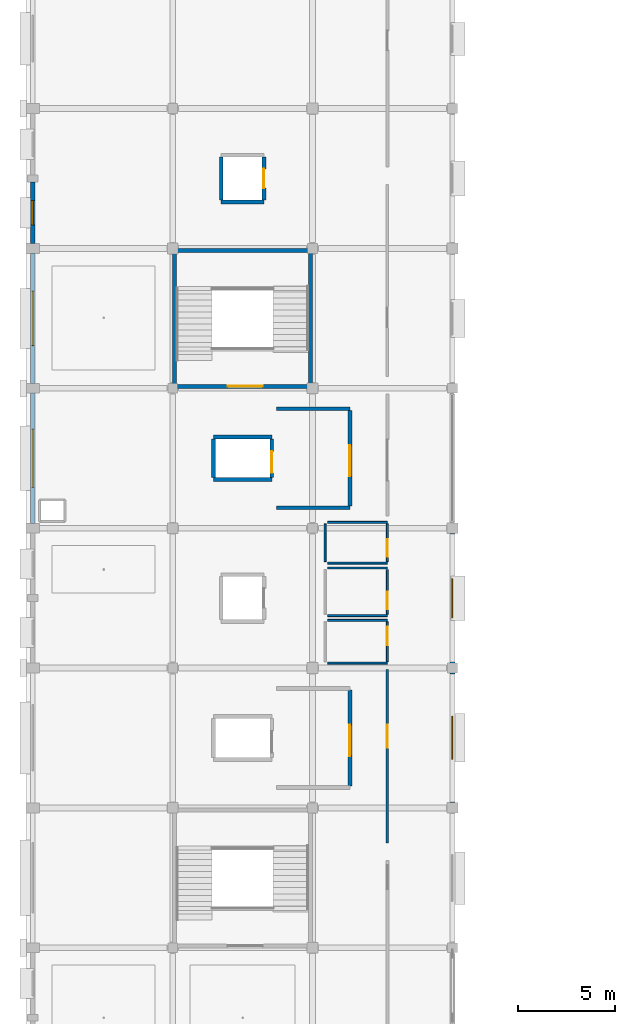
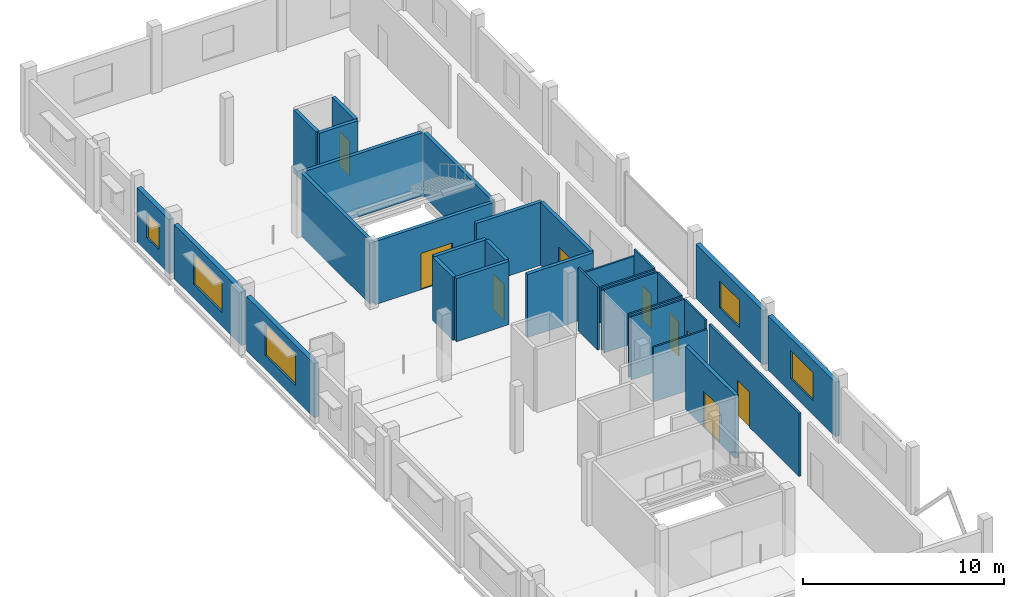
# One storey, part 8 of 15: 31 walls, 9 doors, 5 windows, 14 openings.
"""IFC4 building model written with IfcOpenShell, lengths in metres."""

from ifc_helpers import new_model, si_unit, direction, frame, frame_2d, origin, place, context, subcontext, project, spatial, rectangle, extrude, material, layer, layer_set, type_object, element, fill, save


model = new_model("IFC4")

# Units and contexts
model_context = context("Model", 3, precision=1e-05, world=origin(), true_north=direction((0.0, 1.0)))
body_context = subcontext(model_context, "Body", "Model", "MODEL_VIEW")
ifc_project = project(units=[si_unit("LENGTHUNIT", "METRE"), si_unit("AREAUNIT", "SQUARE_METRE"), si_unit("VOLUMEUNIT", "CUBIC_METRE"), si_unit("PLANEANGLEUNIT", "RADIAN"), si_unit("MASSUNIT", "GRAM", prefix="KILO")], contexts=[model_context])

# Site, building, storey
site_placement = place(None, origin())
site = spatial("IfcSite", under=ifc_project, at=site_placement, CompositionType="ELEMENT")
building_placement = place(site_placement, origin())
building = spatial("IfcBuilding", under=site, at=building_placement, Name="Kangsadwip Square Police Headquarters", CompositionType="ELEMENT")
storey_placement = place(building_placement, frame((0.0, 0.0, 29.699951171875)))
storey = spatial("IfcBuildingStorey", under=building, at=storey_placement, Name="L07", CompositionType="ELEMENT", Elevation=29.699951171875)

# Wall, opening, door
ifc_material_1 = material(Name="Fire-rated double gypsum board acoustic stud partition", Category="masonry")
ifc_layer_1 = layer(ifc_material_1, 0.1201171875)
ifc_layer_set_1 = layer_set([ifc_layer_1], Name="Fire-rated double gypsum board acoustic stud partition")
wall_type_1 = type_object("IfcWallType", Name="AcousticPartition120", PredefinedType="PARTITIONING", material=ifc_layer_set_1)
wall_1_placement = place(storey_placement, frame((18.25, 48.60009765625, 0.0), z_axis=(0.0, 0.0, 1.0), x_axis=(0.0, 1.0, 0.0)))
wall_1 = element("IfcWall", 1, at=wall_1_placement, inside=storey, type_object=wall_type_1, Name="Interior Wall WI-L07-0951", PredefinedType="PARTITIONING", context=body_context, shape_type="SweptSolid", body=[
    extrude(rectangle(XDim=8.919921875, YDim=0.1201171875, at=frame_2d((4.4599609375, 0.0))), origin(), (0.0, 0.0, 1.0), 3.830078125),
])
opening_1_placement = place(wall_1_placement, frame((4.89111328125, 0.0, 0.0)))
opening_1 = element("IfcOpeningElement", 2, at=opening_1_placement, cuts=wall_1, Name="Opening ID-12B", PredefinedType="OPENING", context=body_context, shape_type="SweptSolid", body=[
    extrude(rectangle(XDim=1.199951171875, YDim=2.14990234375, at=frame_2d((0.60009765625, 1.074951171875))), frame((0.0, 0.070068359375, 0.0), z_axis=(0.0, -1.0, 0.0), x_axis=(1.0, 0.0, 0.0)), (0.0, 0.0, 1.0), 0.14013671875),
])
ifc_material_2 = material(Name="Solid-core seasoned teak hardwood architectural door", Category="wood")
door_type_1 = type_object("IfcDoorType", Name="ClinicDoor1200x2150", OperationType="NOTDEFINED", PredefinedType="DOOR", material=ifc_material_2)
door_1_placement = place(opening_1_placement, origin())
door_1 = element("IfcDoor", 3, at=door_1_placement, inside=storey, type_object=door_type_1, Name="Interior Door ID-L07-0270", OperationType="SINGLE_SWING_RIGHT", OverallHeight=2.14990234375, OverallWidth=1.199951171875, PredefinedType="DOOR", context=body_context, shape_type="SweptSolid", body=[
    extrude(rectangle(XDim=1.199951171875, YDim=2.14990234375, at=frame_2d((0.60009765625, 1.074951171875))), frame((0.0, 0.02490234375, 0.0), z_axis=(0.0, -1.0, 0.0), x_axis=(1.0, 0.0, 0.0)), (0.0, 0.0, 1.0), 0.050048828125),
])
fill(opening_1, door_1)

# Wall, opening, window
ifc_material_3 = material(Name="Glazed architectural terracotta masonry rainscreen", Category="masonry")
ifc_layer_2 = layer(ifc_material_3, 0.25)
ifc_layer_set_2 = layer_set([ifc_layer_2], Name="Glazed architectural terracotta masonry rainscreen")
wall_type_2 = type_object("IfcWallType", Name="ChicagoTerracottaWall250", PredefinedType="SOLIDWALL", material=ifc_layer_set_2)
wall_2_placement = place(storey_placement, frame((0.0, 65.044921875, 0.0), z_axis=(0.0, 0.0, 1.0), x_axis=(0.0, 1.0, 0.0)))
wall_2 = element("IfcWall", 4, at=wall_2_placement, inside=storey, type_object=wall_type_2, Name="Exterior Wall WE-L07-593", PredefinedType="SOLIDWALL", context=body_context, shape_type="SweptSolid", body=[
    extrude(rectangle(XDim=6.7099609375, YDim=0.25, at=frame_2d((3.35498046875, 0.0))), origin(), (0.0, 0.0, 1.0), 3.295166015625),
])
opening_2_placement = place(wall_2_placement, frame((1.85498046875, 0.0, 0.85009765625)))
opening_2 = element("IfcOpeningElement", 5, at=opening_2_placement, cuts=wall_2, Name="Opening WN-04", PredefinedType="OPENING", context=body_context, shape_type="SweptSolid", body=[
    extrude(rectangle(XDim=3.0, YDim=1.89990234375, at=frame_2d((1.5, 0.949951171875))), frame((0.0, 0.135009765625, 0.0), z_axis=(0.0, -1.0, 0.0), x_axis=(1.0, 0.0, 0.0)), (0.0, 0.0, 1.0), 0.27001953125),
])
ifc_material_4 = material(Name="Double-glazed solar-control low-E safety glass", Category="glass")
window_type_1 = type_object("IfcWindowType", Name="ChicagoTripartiteWin3000x1900", PartitioningType="TRIPLE_PANEL_HORIZONTAL", PredefinedType="WINDOW", material=ifc_material_4)
window_1_placement = place(opening_2_placement, origin())
window_1 = element("IfcWindow", 6, at=window_1_placement, inside=storey, type_object=window_type_1, Name="Window WN-L07-0442", OverallHeight=1.89990234375, OverallWidth=3.0, PartitioningType="SINGLE_PANEL", PredefinedType="WINDOW", context=body_context, shape_type="SweptSolid", body=[
    extrude(rectangle(XDim=3.0, YDim=1.89990234375, at=frame_2d((1.5, 0.949951171875))), frame((0.0, 0.030029296875, 0.0), z_axis=(0.0, -1.0, 0.0), x_axis=(1.0, 0.0, 0.0)), (0.0, 0.0, 1.0), 0.06005859375),
])
fill(opening_2, window_1)

wall_3_placement = place(storey_placement, frame((0.0, 72.2451171875, 0.0), z_axis=(0.0, 0.0, 1.0), x_axis=(0.0, 1.0, 0.0)))
wall_3 = element("IfcWall", 7, at=wall_3_placement, inside=storey, type_object=wall_type_2, Name="Exterior Wall WE-L07-594", PredefinedType="SOLIDWALL", context=body_context, shape_type="SweptSolid", body=[
    extrude(rectangle(XDim=6.7099609375, YDim=0.25, at=frame_2d((3.35498046875, 0.0))), origin(), (0.0, 0.0, 1.0), 3.295166015625),
])
opening_3_placement = place(wall_3_placement, frame((1.955078125, 0.0, 0.85009765625)))
opening_3 = element("IfcOpeningElement", 8, at=opening_3_placement, cuts=wall_3, Name="Opening WN-05", PredefinedType="OPENING", context=body_context, shape_type="SweptSolid", body=[
    extrude(rectangle(XDim=2.800048828125, YDim=1.85009765625, at=frame_2d((1.39990234375, 0.925048828125))), frame((0.0, 0.135009765625, 0.0), z_axis=(0.0, -1.0, 0.0), x_axis=(1.0, 0.0, 0.0)), (0.0, 0.0, 1.0), 0.27001953125),
])
ifc_material_5 = material(Name="Double-glazed solar-control low-E safety glass", Category="glass")
window_type_2 = type_object("IfcWindowType", Name="ChicagoDoubleMullWin2800x1850", PartitioningType="DOUBLE_PANEL_VERTICAL", PredefinedType="WINDOW", material=ifc_material_5)
window_2_placement = place(opening_3_placement, origin())
window_2 = element("IfcWindow", 9, at=window_2_placement, inside=storey, type_object=window_type_2, Name="Window WN-L07-0443", OverallHeight=1.85009765625, OverallWidth=2.800048828125, PartitioningType="SINGLE_PANEL", PredefinedType="WINDOW", context=body_context, shape_type="SweptSolid", body=[
    extrude(rectangle(XDim=2.800048828125, YDim=1.85009765625, at=frame_2d((1.39990234375, 0.925048828125))), frame((0.0, 0.030029296875, 0.0), z_axis=(0.0, -1.0, 0.0), x_axis=(1.0, 0.0, 0.0)), (0.0, 0.0, 1.0), 0.06005859375),
])
fill(opening_3, window_2)

wall_4_placement = place(storey_placement, frame((0.0, 79.445068359375, 0.0), z_axis=(0.0, 0.0, 1.0), x_axis=(0.0, 1.0, 0.0)))
wall_4 = element("IfcWall", 10, at=wall_4_placement, inside=storey, type_object=wall_type_2, Name="Exterior Wall WE-L07-595", PredefinedType="SOLIDWALL", context=body_context, shape_type="SweptSolid", body=[
    extrude(rectangle(XDim=3.184814453125, YDim=0.25, at=frame_2d((1.59228515625, 0.0))), origin(), (0.0, 0.0, 1.0), 3.295166015625),
])
opening_4_placement = place(wall_4_placement, frame((0.967529296875, 0.0, 0.85009765625)))
opening_4 = element("IfcOpeningElement", 11, at=opening_4_placement, cuts=wall_4, Name="Opening WN-14", PredefinedType="OPENING", context=body_context, shape_type="SweptSolid", body=[
    extrude(rectangle(XDim=1.25, YDim=1.5, at=frame_2d((0.625, 0.75))), frame((0.0, 0.135009765625, 0.0), z_axis=(0.0, -1.0, 0.0), x_axis=(1.0, 0.0, 0.0)), (0.0, 0.0, 1.0), 0.27001953125),
])
ifc_material_6 = material(Name="Double-glazed solar-control low-E safety glass", Category="glass")
window_type_3 = type_object("IfcWindowType", Name="OfficeCasementWin1250x1500", PartitioningType="SINGLE_PANEL", PredefinedType="WINDOW", material=ifc_material_6)
window_3_placement = place(opening_4_placement, origin())
window_3 = element("IfcWindow", 12, at=window_3_placement, inside=storey, type_object=window_type_3, Name="Window WN-L07-0444", OverallHeight=1.5, OverallWidth=1.25, PartitioningType="SINGLE_PANEL", PredefinedType="WINDOW", context=body_context, shape_type="SweptSolid", body=[
    extrude(rectangle(XDim=1.25, YDim=1.5, at=frame_2d((0.625, 0.75))), frame((0.0, 0.030029296875, 0.0), z_axis=(0.0, -1.0, 0.0), x_axis=(1.0, 0.0, 0.0)), (0.0, 0.0, 1.0), 0.06005859375),
])
fill(opening_4, window_3)

wall_5_placement = place(storey_placement, frame((21.60009765625, 50.669921875, 0.0), z_axis=(0.0, 0.0, 1.0), x_axis=(0.0, 1.0, 0.0)))
wall_5 = element("IfcWall", 13, at=wall_5_placement, inside=storey, type_object=wall_type_2, Name="Exterior Wall WE-L07-599", PredefinedType="SOLIDWALL", context=body_context, shape_type="SweptSolid", body=[
    extrude(rectangle(XDim=6.68505859375, YDim=0.25, at=frame_2d((3.342529296875, 0.0))), origin(), (0.0, 0.0, 1.0), 3.295166015625),
])
opening_5_placement = place(wall_5_placement, frame((2.242431640625, 0.0, 0.85009765625)))
opening_5 = element("IfcOpeningElement", 14, at=opening_5_placement, cuts=wall_5, Name="Opening WN-08", PredefinedType="OPENING", context=body_context, shape_type="SweptSolid", body=[
    extrude(rectangle(XDim=2.199951171875, YDim=1.699951171875, at=frame_2d((1.10009765625, 0.85009765625))), frame((0.0, 0.135009765625, 0.0), z_axis=(0.0, -1.0, 0.0), x_axis=(1.0, 0.0, 0.0)), (0.0, 0.0, 1.0), 0.27001953125),
])
ifc_material_7 = material(Name="Double-glazed solar-control low-E safety glass", Category="glass")
window_type_4 = type_object("IfcWindowType", Name="ChicagoDoubleMullWin2200x1700", PartitioningType="DOUBLE_PANEL_VERTICAL", PredefinedType="WINDOW", material=ifc_material_7)
window_4_placement = place(opening_5_placement, origin())
window_4 = element("IfcWindow", 15, at=window_4_placement, inside=storey, type_object=window_type_4, Name="Window WN-L07-0448", OverallHeight=1.699951171875, OverallWidth=2.199951171875, PartitioningType="SINGLE_PANEL", PredefinedType="WINDOW", context=body_context, shape_type="SweptSolid", body=[
    extrude(rectangle(XDim=2.199951171875, YDim=1.699951171875, at=frame_2d((1.10009765625, 0.85009765625))), frame((0.0, 0.030029296875, 0.0), z_axis=(0.0, -1.0, 0.0), x_axis=(1.0, 0.0, 0.0)), (0.0, 0.0, 1.0), 0.06005859375),
])
fill(opening_5, window_4)

wall_6_placement = place(storey_placement, frame((21.60009765625, 57.844970703125, 0.0), z_axis=(0.0, 0.0, 1.0), x_axis=(0.0, 1.0, 0.0)))
wall_6 = element("IfcWall", 16, at=wall_6_placement, inside=storey, type_object=wall_type_2, Name="Exterior Wall WE-L07-600", PredefinedType="SOLIDWALL", context=body_context, shape_type="SweptSolid", body=[
    extrude(rectangle(XDim=6.68505859375, YDim=0.25, at=frame_2d((3.342529296875, 0.0))), origin(), (0.0, 0.0, 1.0), 3.295166015625),
])
opening_6_placement = place(wall_6_placement, frame((2.342529296875, 0.0, 0.85009765625)))
opening_6 = element("IfcOpeningElement", 17, at=opening_6_placement, cuts=wall_6, Name="Opening WN-09", PredefinedType="OPENING", context=body_context, shape_type="SweptSolid", body=[
    extrude(rectangle(XDim=2.0, YDim=1.64990234375, at=frame_2d((1.0, 0.824951171875))), frame((0.0, 0.135009765625, 0.0), z_axis=(0.0, -1.0, 0.0), x_axis=(1.0, 0.0, 0.0)), (0.0, 0.0, 1.0), 0.27001953125),
])
ifc_material_8 = material(Name="Double-glazed solar-control low-E safety glass", Category="glass")
window_type_5 = type_object("IfcWindowType", Name="ChicagoDoubleMullWin2000x1650", PartitioningType="DOUBLE_PANEL_VERTICAL", PredefinedType="WINDOW", material=ifc_material_8)
window_5_placement = place(opening_6_placement, origin())
window_5 = element("IfcWindow", 18, at=window_5_placement, inside=storey, type_object=window_type_5, Name="Window WN-L07-0449", OverallHeight=1.64990234375, OverallWidth=2.0, PartitioningType="SINGLE_PANEL", PredefinedType="WINDOW", context=body_context, shape_type="SweptSolid", body=[
    extrude(rectangle(XDim=2.0, YDim=1.64990234375, at=frame_2d((1.0, 0.824951171875))), frame((0.0, 0.030029296875, 0.0), z_axis=(0.0, -1.0, 0.0), x_axis=(1.0, 0.0, 0.0)), (0.0, 0.0, 1.0), 0.06005859375),
])
fill(opening_6, window_5)

# Wall, opening, door
ifc_material_9 = material(Name="Concrete M40 (40 MPa)", Category="concrete")
ifc_layer_3 = layer(ifc_material_9, 0.199951171875)
ifc_layer_set_3 = layer_set([ifc_layer_3], Name="Concrete M40 (40 MPa)")
wall_type_3 = type_object("IfcWallType", Name="CoreShearWall200", PredefinedType="SHEAR", material=ifc_layer_set_3)
wall_7_placement = place(storey_placement, frame((7.39990234375, 72.10009765625, 0.0), z_axis=(0.0, 0.0, 1.0), x_axis=(1.0, 0.0, 0.0)))
wall_7 = element("IfcWall", 19, at=wall_7_placement, inside=storey, type_object=wall_type_3, Name="Interior Wall WI-L07-0081", PredefinedType="SHEAR", context=body_context, shape_type="SweptSolid", body=[
    extrude(rectangle(XDim=6.800048828125, YDim=0.199951171875, at=frame_2d((3.39990234375, 0.0))), origin(), (0.0, 0.0, 1.0), 3.830078125),
])
opening_7_placement = place(wall_7_placement, frame((2.632080078125, 0.0, 0.0)))
opening_7 = element("IfcOpeningElement", 20, at=opening_7_placement, cuts=wall_7, Name="Opening FD-18", PredefinedType="OPENING", context=body_context, shape_type="SweptSolid", body=[
    extrude(rectangle(XDim=1.800048828125, YDim=2.199951171875, at=frame_2d((0.89990234375, 1.10009765625))), frame((0.0, 0.10986328125, 0.0), z_axis=(0.0, -1.0, 0.0), x_axis=(1.0, 0.0, 0.0)), (0.0, 0.0, 1.0), 0.219970703125),
])
ifc_material_10 = material(Name="Insulated galvanized steel fire-rated door assembly", Category="steel")
door_type_2 = type_object("IfcDoorType", Name="StairFireDoor1800x2200", OperationType="DOUBLE_DOOR_SINGLE_SWING", PredefinedType="DOOR", material=ifc_material_10)
door_2_placement = place(opening_7_placement, origin())
door_2 = element("IfcDoor", 21, at=door_2_placement, inside=storey, type_object=door_type_2, Name="Interior Door ID-L07-0018", OperationType="DOUBLE_DOOR_SINGLE_SWING", OverallHeight=2.199951171875, OverallWidth=1.800048828125, PredefinedType="DOOR", context=body_context, shape_type="SweptSolid", body=[
    extrude(rectangle(XDim=1.800048828125, YDim=2.199951171875, at=frame_2d((0.89990234375, 1.10009765625))), frame((0.0, 0.02490234375, 0.0), z_axis=(0.0, -1.0, 0.0), x_axis=(1.0, 0.0, 0.0)), (0.0, 0.0, 1.0), 0.050048828125),
])
fill(opening_7, door_2)

# Walls
for number, where, z_axis, x_axis, name in (
    (22, (7.39990234375, 79.10009765625, 0.0), (0.0, 0.0, 1.0), (1.0, 0.0, 0.0), "Interior Wall WI-L07-0082"),
    (23, (7.300048828125, 72.199951171875, 0.0), (0.0, 0.0, 1.0), (0.0, 1.0, 0.0), "Interior Wall WI-L07-0083"),
    (24, (14.300048828125, 72.199951171875, 0.0), (0.0, 0.0, 1.0), (0.0, 1.0, 0.0), "Interior Wall WI-L07-0084"),
):
    element("IfcWall", number, at=place(storey_placement, frame(where, z_axis=z_axis, x_axis=x_axis)), inside=storey, type_object=wall_type_3, Name=name, PredefinedType="SHEAR", context=body_context, shape_type="SweptSolid", body=[
        extrude(rectangle(XDim=6.800048828125, YDim=0.199951171875, at=frame_2d((3.39990234375, 0.0))), origin(), (0.0, 0.0, 1.0), 3.830078125),
    ])
for number, where, z_axis, x_axis, name in (
    (25, (9.300048828125, 67.300048828125, 0.0), (0.0, 0.0, 1.0), (1.0, 0.0, 0.0), "Interior Wall WI-L07-0303"),
    (26, (9.300048828125, 69.5, 0.0), (0.0, 0.0, 1.0), (1.0, 0.0, 0.0), "Interior Wall WI-L07-0304"),
):
    element("IfcWall", number, at=place(storey_placement, frame(where, z_axis=z_axis, x_axis=x_axis)), inside=storey, type_object=wall_type_3, Name=name, PredefinedType="SHEAR", context=body_context, shape_type="SweptSolid", body=[
        extrude(rectangle(XDim=3.0, YDim=0.199951171875, at=frame_2d((1.5, 0.0))), origin(), (0.0, 0.0, 1.0), 3.830078125),
    ])
wall_8_placement = place(storey_placement, frame((9.300048828125, 67.39990234375, 0.0), z_axis=(0.0, 0.0, 1.0), x_axis=(0.0, 1.0, 0.0)))
element("IfcWall", 27, at=wall_8_placement, inside=storey, type_object=wall_type_3, Name="Interior Wall WI-L07-0305", PredefinedType="SHEAR", context=body_context, shape_type="SweptSolid", body=[
    extrude(rectangle(XDim=2.0, YDim=0.199951171875, at=frame_2d((1.0, 0.0))), origin(), (0.0, 0.0, 1.0), 3.830078125),
])

# Wall, opening, door
wall_9_placement = place(storey_placement, frame((12.300048828125, 67.39990234375, 0.0), z_axis=(0.0, 0.0, 1.0), x_axis=(0.0, 1.0, 0.0)))
wall_9 = element("IfcWall", 28, at=wall_9_placement, inside=storey, type_object=wall_type_3, Name="Interior Wall WI-L07-0306", PredefinedType="SHEAR", context=body_context, shape_type="SweptSolid", body=[
    extrude(rectangle(XDim=2.0, YDim=0.199951171875, at=frame_2d((1.0, 0.0))), origin(), (0.0, 0.0, 1.0), 3.830078125),
])
opening_8_placement = place(wall_9_placement, frame((0.25, 0.0, 0.0)))
opening_8 = element("IfcOpeningElement", 29, at=opening_8_placement, cuts=wall_9, Name="Opening LD-018", PredefinedType="OPENING", context=body_context, shape_type="SweptSolid", body=[
    extrude(rectangle(XDim=1.10009765625, YDim=2.14990234375, at=frame_2d((0.550048828125, 1.074951171875))), frame((0.0, 0.10986328125, 0.0), z_axis=(0.0, -1.0, 0.0), x_axis=(1.0, 0.0, 0.0)), (0.0, 0.0, 1.0), 0.219970703125),
])
ifc_material_11 = material(Name="Brushed stainless steel automatic sliding lift landing door", Category="steel")
door_type_3 = type_object("IfcDoorType", Name="LiftLandingDoor1100x2150", OperationType="DOUBLE_DOOR_SLIDING", PredefinedType="DOOR", material=ifc_material_11)
door_3_placement = place(opening_8_placement, origin())
door_3 = element("IfcDoor", 30, at=door_3_placement, inside=storey, type_object=door_type_3, Name="Interior Door LD-018", OperationType="DOUBLE_DOOR_SLIDING", OverallHeight=2.14990234375, OverallWidth=1.10009765625, PredefinedType="DOOR", context=body_context, shape_type="SweptSolid", body=[
    extrude(rectangle(XDim=1.10009765625, YDim=2.14990234375, at=frame_2d((0.550048828125, 1.074951171875))), frame((0.0, 0.02490234375, 0.0), z_axis=(0.0, -1.0, 0.0), x_axis=(1.0, 0.0, 0.0)), (0.0, 0.0, 1.0), 0.050048828125),
])
fill(opening_8, door_3)

# Walls
for number, where, z_axis, x_axis, name in (
    (31, (9.699951171875, 81.60009765625, 0.0), (0.0, 0.0, 1.0), (1.0, 0.0, 0.0), "Interior Wall WI-L07-0419"),
    (32, (9.699951171875, 81.699951171875, 0.0), (0.0, 0.0, 1.0), (0.0, 1.0, 0.0), "Interior Wall WI-L07-0421"),
):
    element("IfcWall", number, at=place(storey_placement, frame(where, z_axis=z_axis, x_axis=x_axis)), inside=storey, type_object=wall_type_3, Name=name, PredefinedType="SHEAR", context=body_context, shape_type="SweptSolid", body=[
        extrude(rectangle(XDim=2.199951171875, YDim=0.199951171875, at=frame_2d((1.10009765625, 0.0))), origin(), (0.0, 0.0, 1.0), 3.830078125),
    ])

# Wall, opening, door
wall_10_placement = place(storey_placement, frame((11.89990234375, 81.699951171875, 0.0), z_axis=(0.0, 0.0, 1.0), x_axis=(0.0, 1.0, 0.0)))
wall_10 = element("IfcWall", 33, at=wall_10_placement, inside=storey, type_object=wall_type_3, Name="Interior Wall WI-L07-0422", PredefinedType="SHEAR", context=body_context, shape_type="SweptSolid", body=[
    extrude(rectangle(XDim=2.199951171875, YDim=0.199951171875, at=frame_2d((1.10009765625, 0.0))), origin(), (0.0, 0.0, 1.0), 3.830078125),
])
opening_9_placement = place(wall_10_placement, frame((0.60009765625, 0.0, 0.0)))
opening_9 = element("IfcOpeningElement", 34, at=opening_9_placement, cuts=wall_10, Name="Opening LD-044", PredefinedType="OPENING", context=body_context, shape_type="SweptSolid", body=[
    extrude(rectangle(XDim=1.0, YDim=2.10009765625, at=frame_2d((0.5, 1.050048828125))), frame((0.0, 0.10986328125, 0.0), z_axis=(0.0, -1.0, 0.0), x_axis=(1.0, 0.0, 0.0)), (0.0, 0.0, 1.0), 0.219970703125),
])
ifc_material_12 = material(Name="Brushed stainless steel automatic sliding lift landing door", Category="steel")
door_type_4 = type_object("IfcDoorType", Name="LiftLandingDoor1000x2100", OperationType="DOUBLE_DOOR_SLIDING", PredefinedType="DOOR", material=ifc_material_12)
door_4_placement = place(opening_9_placement, origin())
door_4 = element("IfcDoor", 35, at=door_4_placement, inside=storey, type_object=door_type_4, Name="Interior Door LD-044", OperationType="DOUBLE_DOOR_SLIDING", OverallHeight=2.10009765625, OverallWidth=1.0, PredefinedType="DOOR", context=body_context, shape_type="SweptSolid", body=[
    extrude(rectangle(XDim=1.0, YDim=2.10009765625, at=frame_2d((0.5, 1.050048828125))), frame((0.0, 0.02490234375, 0.0), z_axis=(0.0, -1.0, 0.0), x_axis=(1.0, 0.0, 0.0)), (0.0, 0.0, 1.0), 0.050048828125),
])
fill(opening_9, door_4)

ifc_material_13 = material(Name="Concrete M40 (40 MPa)", Category="concrete")
ifc_layer_4 = layer(ifc_material_13, 0.199951171875)
ifc_layer_set_4 = layer_set([ifc_layer_4], Name="Concrete M40 (40 MPa)")
wall_type_4 = type_object("IfcWallType", Name="CustodySecurityWall200", PredefinedType="SOLIDWALL", material=ifc_layer_set_4)
wall_11_placement = place(storey_placement, frame((16.320068359375, 51.530029296875, 0.0), z_axis=(0.0, 0.0, 1.0), x_axis=(0.0, 1.0, 0.0)))
wall_11 = element("IfcWall", 36, at=wall_11_placement, inside=storey, type_object=wall_type_4, Name="Interior Wall WI-L07-0932", PredefinedType="SOLIDWALL", context=body_context, shape_type="SweptSolid", body=[
    extrude(rectangle(XDim=4.93994140625, YDim=0.199951171875, at=frame_2d((2.469970703125, 0.0))), origin(), (0.0, 0.0, 1.0), 3.830078125),
])
opening_10_placement = place(wall_11_placement, frame((1.541015625, 0.0, 0.0)))
opening_10 = element("IfcOpeningElement", 37, at=opening_10_placement, cuts=wall_11, Name="Opening FD-16", PredefinedType="OPENING", context=body_context, shape_type="SweptSolid", body=[
    extrude(rectangle(XDim=1.60009765625, YDim=2.199951171875, at=frame_2d((0.800048828125, 1.10009765625))), frame((0.0, 0.10986328125, 0.0), z_axis=(0.0, -1.0, 0.0), x_axis=(1.0, 0.0, 0.0)), (0.0, 0.0, 1.0), 0.219970703125),
])
ifc_material_14 = material(Name="Insulated galvanized steel fire-rated door assembly", Category="steel")
door_type_5 = type_object("IfcDoorType", Name="FfLobbyFireDoor1600x2200", OperationType="DOUBLE_DOOR_SINGLE_SWING", PredefinedType="DOOR", material=ifc_material_14)
door_5_placement = place(opening_10_placement, origin())
door_5 = element("IfcDoor", 38, at=door_5_placement, inside=storey, type_object=door_type_5, Name="Interior Door ID-L07-0264", OperationType="DOUBLE_DOOR_SINGLE_SWING", OverallHeight=2.199951171875, OverallWidth=1.60009765625, PredefinedType="DOOR", context=body_context, shape_type="SweptSolid", body=[
    extrude(rectangle(XDim=1.60009765625, YDim=2.199951171875, at=frame_2d((0.800048828125, 1.10009765625))), frame((0.0, 0.02490234375, 0.0), z_axis=(0.0, -1.0, 0.0), x_axis=(1.0, 0.0, 0.0)), (0.0, 0.0, 1.0), 0.050048828125),
])
fill(opening_10, door_5)

wall_12_placement = place(storey_placement, frame((16.320068359375, 65.929931640625, 0.0), z_axis=(0.0, 0.0, 1.0), x_axis=(0.0, 1.0, 0.0)))
wall_12 = element("IfcWall", 39, at=wall_12_placement, inside=storey, type_object=wall_type_4, Name="Interior Wall WI-L07-0935", PredefinedType="SOLIDWALL", context=body_context, shape_type="SweptSolid", body=[
    extrude(rectangle(XDim=4.940185546875, YDim=0.199951171875, at=frame_2d((2.47021484375, 0.0))), origin(), (0.0, 0.0, 1.0), 3.830078125),
])
opening_11_placement = place(wall_12_placement, frame((1.541015625, 0.0, 0.0)))
opening_11 = element("IfcOpeningElement", 40, at=opening_11_placement, cuts=wall_12, Name="Opening FD-16", PredefinedType="OPENING", context=body_context, shape_type="SweptSolid", body=[
    extrude(rectangle(XDim=1.60009765625, YDim=2.199951171875, at=frame_2d((0.800048828125, 1.10009765625))), frame((0.0, 0.10986328125, 0.0), z_axis=(0.0, -1.0, 0.0), x_axis=(1.0, 0.0, 0.0)), (0.0, 0.0, 1.0), 0.219970703125),
])
door_6_placement = place(opening_11_placement, origin())
door_6 = element("IfcDoor", 41, at=door_6_placement, inside=storey, type_object=door_type_5, Name="Interior Door ID-L07-0265", OperationType="DOUBLE_DOOR_SINGLE_SWING", OverallHeight=2.199951171875, OverallWidth=1.60009765625, PredefinedType="DOOR", context=body_context, shape_type="SweptSolid", body=[
    extrude(rectangle(XDim=1.60009765625, YDim=2.199951171875, at=frame_2d((0.800048828125, 1.10009765625))), frame((0.0, 0.02490234375, 0.0), z_axis=(0.0, -1.0, 0.0), x_axis=(1.0, 0.0, 0.0)), (0.0, 0.0, 1.0), 0.050048828125),
])
fill(opening_11, door_6)

# Walls
for number, where, z_axis, x_axis, name in (
    (42, (12.5400390625, 65.85009765625, 0.0), (0.0, 0.0, 1.0), (1.0, 0.0, 0.0), "Interior Wall WI-L07-0936"),
    (43, (12.5400390625, 70.949951171875, 0.0), (0.0, 0.0, 1.0), (1.0, 0.0, 0.0), "Interior Wall WI-L07-0937"),
):
    element("IfcWall", number, at=place(storey_placement, frame(where, z_axis=z_axis, x_axis=x_axis)), inside=storey, type_object=wall_type_4, Name=name, PredefinedType="SOLIDWALL", context=body_context, shape_type="SweptSolid", body=[
        extrude(rectangle(XDim=3.780029296875, YDim=0.199951171875, at=frame_2d((1.89013671875, 0.0))), origin(), (0.0, 0.0, 1.0), 3.830078125),
    ])

# Wall, opening, door
ifc_material_15 = material(Name="Autoclaved aerated concrete blockwork masonry", Category="masonry")
ifc_layer_5 = layer(ifc_material_15, 0.10009765625)
ifc_layer_set_5 = layer_set([ifc_layer_5], Name="Autoclaved aerated concrete blockwork masonry")
wall_type_5 = type_object("IfcWallType", Name="WetWallPartition100", PredefinedType="PARTITIONING", material=ifc_layer_set_5)
wall_13_placement = place(storey_placement, frame((18.25, 57.929931640625, 0.0), z_axis=(0.0, 0.0, 1.0), x_axis=(0.0, 1.0, 0.0)))
wall_13 = element("IfcWall", 44, at=wall_13_placement, inside=storey, type_object=wall_type_5, Name="Interior Wall WI-L07-0938", PredefinedType="PARTITIONING", context=body_context, shape_type="SweptSolid", body=[
    extrude(rectangle(XDim=2.0400390625, YDim=0.10009765625, at=frame_2d((1.02001953125, 0.0))), origin(), (0.0, 0.0, 1.0), 3.830078125),
])
opening_12_placement = place(wall_13_placement, frame((0.840087890625, 0.0, 0.0)))
opening_12 = element("IfcOpeningElement", 45, at=opening_12_placement, cuts=wall_13, Name="Opening WD-09A", PredefinedType="OPENING", context=body_context, shape_type="SweptSolid", body=[
    extrude(rectangle(XDim=0.949951171875, YDim=2.10009765625, at=frame_2d((0.47509765625, 1.050048828125))), frame((0.0, 0.06005859375, 0.0), z_axis=(0.0, -1.0, 0.0), x_axis=(1.0, 0.0, 0.0)), (0.0, 0.0, 1.0), 0.1201171875),
])
ifc_material_16 = material(Name="Solid-core seasoned teak hardwood architectural door", Category="wood")
door_type_6 = type_object("IfcDoorType", Name="AccessibleWcDoor950x2100", OperationType="NOTDEFINED", PredefinedType="DOOR", material=ifc_material_16)
door_7_placement = place(opening_12_placement, origin())
door_7 = element("IfcDoor", 46, at=door_7_placement, inside=storey, type_object=door_type_6, Name="Interior Door ID-L07-0266", OperationType="SINGLE_SWING_RIGHT", OverallHeight=2.10009765625, OverallWidth=0.949951171875, PredefinedType="DOOR", context=body_context, shape_type="SweptSolid", body=[
    extrude(rectangle(XDim=0.949951171875, YDim=2.10009765625, at=frame_2d((0.47509765625, 1.050048828125))), frame((0.0, 0.02490234375, 0.0), z_axis=(0.0, -1.0, 0.0), x_axis=(1.0, 0.0, 0.0)), (0.0, 0.0, 1.0), 0.050048828125),
])
fill(opening_12, door_7)

# Walls
wall_14_placement = place(storey_placement, frame((15.169921875, 57.85009765625, 0.0), z_axis=(0.0, 0.0, 1.0), x_axis=(1.0, 0.0, 0.0)))
element("IfcWall", 47, at=wall_14_placement, inside=storey, type_object=wall_type_5, Name="Interior Wall WI-L07-0939", PredefinedType="PARTITIONING", context=body_context, shape_type="SweptSolid", body=[
    extrude(rectangle(XDim=3.080078125, YDim=0.10009765625, at=frame_2d((1.5400390625, 0.0))), origin(), (0.0, 0.0, 1.0), 3.320068359375),
])
wall_15_placement = place(storey_placement, frame((15.169921875, 60.050048828125, 0.0), z_axis=(0.0, 0.0, 1.0), x_axis=(1.0, 0.0, 0.0)))
element("IfcWall", 48, at=wall_15_placement, inside=storey, type_object=wall_type_5, Name="Interior Wall WI-L07-0940", PredefinedType="PARTITIONING", context=body_context, shape_type="SweptSolid", body=[
    extrude(rectangle(XDim=3.080078125, YDim=0.10009765625, at=frame_2d((1.5400390625, 0.0))), origin(), (0.0, 0.0, 1.0), 3.830078125),
])

# Wall, opening, door
wall_16_placement = place(storey_placement, frame((18.25, 60.3798828125, 0.0), z_axis=(0.0, 0.0, 1.0), x_axis=(0.0, 1.0, 0.0)))
wall_16 = element("IfcWall", 49, at=wall_16_placement, inside=storey, type_object=wall_type_5, Name="Interior Wall WI-L07-0942", PredefinedType="PARTITIONING", context=body_context, shape_type="SweptSolid", body=[
    extrude(rectangle(XDim=2.2900390625, YDim=0.10009765625, at=frame_2d((1.14501953125, 0.0))), origin(), (0.0, 0.0, 1.0), 3.830078125),
])
opening_13_placement = place(wall_16_placement, frame((0.25, 0.0, 0.0)))
opening_13 = element("IfcOpeningElement", 50, at=opening_13_placement, cuts=wall_16, Name="Opening WD-09B", PredefinedType="OPENING", context=body_context, shape_type="SweptSolid", body=[
    extrude(rectangle(XDim=0.89990234375, YDim=2.10009765625, at=frame_2d((0.449951171875, 1.050048828125))), frame((0.0, 0.06005859375, 0.0), z_axis=(0.0, -1.0, 0.0), x_axis=(1.0, 0.0, 0.0)), (0.0, 0.0, 1.0), 0.1201171875),
])
ifc_material_17 = material(Name="Solid-core seasoned teak hardwood architectural door", Category="wood")
door_type_7 = type_object("IfcDoorType", Name="ToiletRoomDoor900x2100", OperationType="NOTDEFINED", PredefinedType="DOOR", material=ifc_material_17)
door_8_placement = place(opening_13_placement, origin())
door_8 = element("IfcDoor", 51, at=door_8_placement, inside=storey, type_object=door_type_7, Name="Interior Door ID-L07-0267", OperationType="SINGLE_SWING_LEFT", OverallHeight=2.10009765625, OverallWidth=0.89990234375, PredefinedType="DOOR", context=body_context, shape_type="SweptSolid", body=[
    extrude(rectangle(XDim=0.89990234375, YDim=2.10009765625, at=frame_2d((0.449951171875, 1.050048828125))), frame((0.0, 0.02490234375, 0.0), z_axis=(0.0, -1.0, 0.0), x_axis=(1.0, 0.0, 0.0)), (0.0, 0.0, 1.0), 0.050048828125),
])
fill(opening_13, door_8)

# Walls
for number, where, z_axis, x_axis, name in (
    (52, (15.169921875, 60.300048828125, 0.0), (0.0, 0.0, 1.0), (1.0, 0.0, 0.0), "Interior Wall WI-L07-0943"),
    (53, (15.169921875, 62.75, 0.0), (0.0, 0.0, 1.0), (1.0, 0.0, 0.0), "Interior Wall WI-L07-0944"),
):
    element("IfcWall", number, at=place(storey_placement, frame(where, z_axis=z_axis, x_axis=x_axis)), inside=storey, type_object=wall_type_5, Name=name, PredefinedType="PARTITIONING", context=body_context, shape_type="SweptSolid", body=[
        extrude(rectangle(XDim=3.080078125, YDim=0.10009765625, at=frame_2d((1.5400390625, 0.0))), origin(), (0.0, 0.0, 1.0), 3.830078125),
    ])

# Wall, opening, door
wall_17_placement = place(storey_placement, frame((18.25, 63.080078125, 0.0), z_axis=(0.0, 0.0, 1.0), x_axis=(0.0, 1.0, 0.0)))
wall_17 = element("IfcWall", 54, at=wall_17_placement, inside=storey, type_object=wall_type_5, Name="Interior Wall WI-L07-0946", PredefinedType="PARTITIONING", context=body_context, shape_type="SweptSolid", body=[
    extrude(rectangle(XDim=1.93994140625, YDim=0.10009765625, at=frame_2d((0.969970703125, 0.0))), origin(), (0.0, 0.0, 1.0), 3.830078125),
])
opening_14_placement = place(wall_17_placement, frame((0.25, 0.0, 0.0)))
opening_14 = element("IfcOpeningElement", 55, at=opening_14_placement, cuts=wall_17, Name="Opening WD-09B", PredefinedType="OPENING", context=body_context, shape_type="SweptSolid", body=[
    extrude(rectangle(XDim=0.89990234375, YDim=2.10009765625, at=frame_2d((0.449951171875, 1.050048828125))), frame((0.0, 0.06005859375, 0.0), z_axis=(0.0, -1.0, 0.0), x_axis=(1.0, 0.0, 0.0)), (0.0, 0.0, 1.0), 0.1201171875),
])
door_9_placement = place(opening_14_placement, origin())
door_9 = element("IfcDoor", 56, at=door_9_placement, inside=storey, type_object=door_type_7, Name="Interior Door ID-L07-0268", OperationType="SINGLE_SWING_RIGHT", OverallHeight=2.10009765625, OverallWidth=0.89990234375, PredefinedType="DOOR", context=body_context, shape_type="SweptSolid", body=[
    extrude(rectangle(XDim=0.89990234375, YDim=2.10009765625, at=frame_2d((0.449951171875, 1.050048828125))), frame((0.0, 0.02490234375, 0.0), z_axis=(0.0, -1.0, 0.0), x_axis=(1.0, 0.0, 0.0)), (0.0, 0.0, 1.0), 0.050048828125),
])
fill(opening_14, door_9)

# Walls
wall_18_placement = place(storey_placement, frame((15.169921875, 63.0, 0.0), z_axis=(0.0, 0.0, 1.0), x_axis=(1.0, 0.0, 0.0)))
element("IfcWall", 57, at=wall_18_placement, inside=storey, type_object=wall_type_5, Name="Interior Wall WI-L07-0947", PredefinedType="PARTITIONING", context=body_context, shape_type="SweptSolid", body=[
    extrude(rectangle(XDim=3.080078125, YDim=0.10009765625, at=frame_2d((1.5400390625, 0.0))), origin(), (0.0, 0.0, 1.0), 3.830078125),
])
wall_19_placement = place(storey_placement, frame((15.169921875, 65.10009765625, 0.0), z_axis=(0.0, 0.0, 1.0), x_axis=(1.0, 0.0, 0.0)))
element("IfcWall", 58, at=wall_19_placement, inside=storey, type_object=wall_type_5, Name="Interior Wall WI-L07-0948", PredefinedType="PARTITIONING", context=body_context, shape_type="SweptSolid", body=[
    extrude(rectangle(XDim=3.080078125, YDim=0.10009765625, at=frame_2d((1.5400390625, 0.0))), origin(), (0.0, 0.0, 1.0), 3.3701171875),
])
wall_20_placement = place(storey_placement, frame((15.050048828125, 63.080078125, 0.0), z_axis=(0.0, 0.0, 1.0), x_axis=(0.0, 1.0, 0.0)))
element("IfcWall", 59, at=wall_20_placement, inside=storey, type_object=wall_type_5, Name="Interior Wall WI-L07-0949", PredefinedType="PARTITIONING", context=body_context, shape_type="SweptSolid", body=[
    extrude(rectangle(XDim=1.93994140625, YDim=0.10009765625, at=frame_2d((0.969970703125, 0.0))), origin(), (0.0, 0.0, 1.0), 3.830078125),
])

save(model, "model.ifc")
